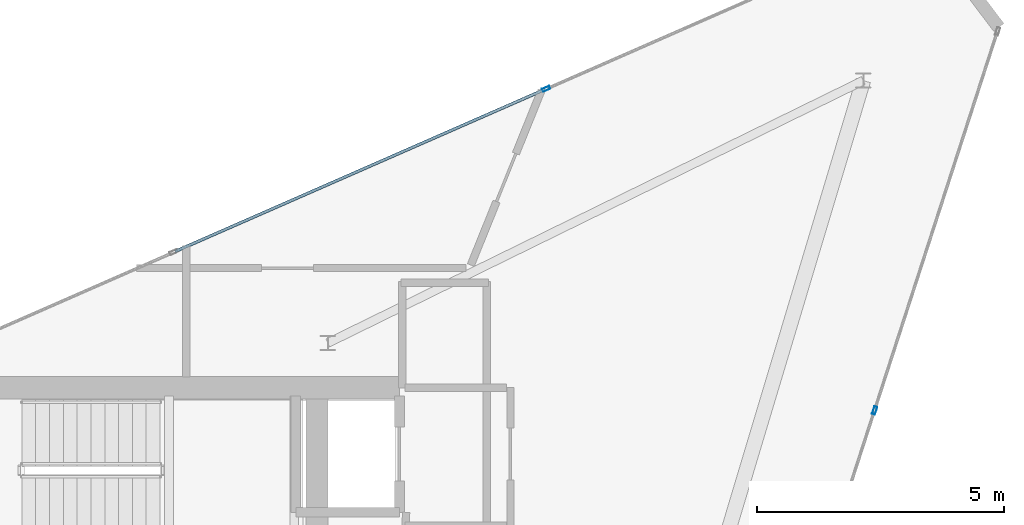
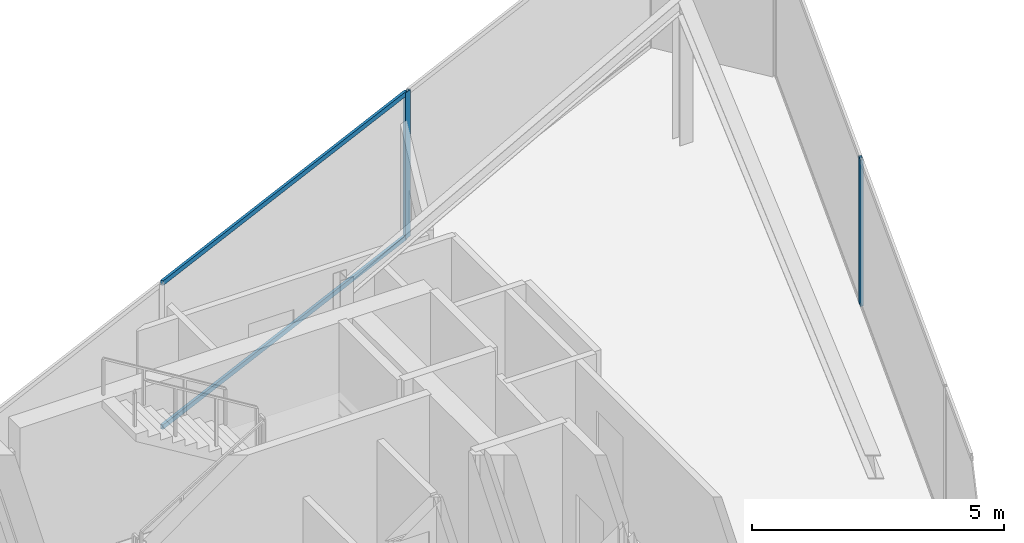
# One storey, part 11 of 16: 4 members, 2 elements without a shape of their own.
"""IFC4 building model written with IfcOpenShell, lengths in metres."""

import ifcopenshell
import ifcopenshell.guid

model = None  # the IFC model being written
_history = None  # IfcOwnerHistory: only IFC2X3 demands one
_inside = {}  # id of a spatial element -> (the spatial element, [elements in it])
_under = {}  # id of a project, library or spatial element -> (it, [spatial elements below it])
_declared = {}  # id of a project -> (the project, [libraries it declares])
_typed = {}  # id of a type object -> (the type object, [elements of that type])
_made_of = {}  # id of a material, layer set ... -> (it, [elements and type objects made of it])


def new_model(schema):
    """Start an empty IFC model of exactly this schema.

    Asked for "IFC4X3", IfcOpenShell would pick the latest addendum, in which some entities
    have other attributes; the version numbers below select the first issue.
    IFC2X3 requires an IfcOwnerHistory on every rooted entity: one is made here for all.
    """
    global model, _history
    if schema == "IFC4X3":
        model = ifcopenshell.file(schema_version=(4, 3, 0, 0))
    else:
        model = ifcopenshell.file(schema=schema)
    _inside.clear()
    _under.clear()
    _declared.clear()
    _typed.clear()
    _made_of.clear()
    _history = None
    if model.schema == "IFC2X3":
        org = make("IfcOrganization", Name="unknown")
        user = make(
            "IfcPersonAndOrganization",
            ThePerson=make("IfcPerson", FamilyName="unknown"),
            TheOrganization=org,
        )
        app = make(
            "IfcApplication",
            ApplicationDeveloper=org,
            Version="unknown",
            ApplicationFullName="unknown",
            ApplicationIdentifier="unknown",
        )
        _history = make(
            "IfcOwnerHistory",
            OwningUser=user,
            OwningApplication=app,
            ChangeAction="ADDED",
            CreationDate=0,
        )
    return model


def make(cls, **values):
    """One entity of the class cls with the attributes given. An attribute that is None is left unset."""
    return model.create_entity(
        cls, **{name: value for name, value in values.items() if value is not None}
    )


def rooted(cls, **values):
    """An entity with a GlobalId (a new one), such as an element, a storey or a relation."""
    return make(cls, GlobalId=ifcopenshell.guid.new(), OwnerHistory=_history, **values)


def si_unit(unit_type, name, prefix=None):
    """IfcSIUnit, for example si_unit("LENGTHUNIT", "METRE", prefix="MILLI")."""
    return make("IfcSIUnit", UnitType=unit_type, Prefix=prefix, Name=name)


def assignment(units):
    """IfcUnitAssignment: the units of a project."""
    return None if units is None else make("IfcUnitAssignment", Units=units)


def point(xyz):
    """IfcCartesianPoint."""
    return None if xyz is None else make("IfcCartesianPoint", Coordinates=xyz)


def direction(xyz):
    """IfcDirection."""
    return None if xyz is None else make("IfcDirection", DirectionRatios=xyz)


def frame(location, z_axis=None, x_axis=None):
    """IfcAxis2Placement3D, a coordinate frame: its origin and axes. An axis left out is left unset."""
    return make(
        "IfcAxis2Placement3D",
        Location=point(location),
        Axis=direction(z_axis),
        RefDirection=direction(x_axis),
    )


def frame_2d(location, x_axis=None):
    """IfcAxis2Placement2D, a coordinate frame in the plane: its origin and x axis."""
    return make(
        "IfcAxis2Placement2D", Location=point(location), RefDirection=direction(x_axis)
    )


def origin():
    """The frame at (0, 0, 0) with its axes left unset."""
    return frame((0.0, 0.0, 0.0))


def origin_2d():
    """The frame at (0, 0) in the plane with its x axis left unset."""
    return frame_2d((0.0, 0.0))


def place(relative_to, where):
    """IfcLocalPlacement: puts the frame where relative to a parent placement (None: the world)."""
    return make(
        "IfcLocalPlacement", PlacementRelTo=relative_to, RelativePlacement=where
    )


def context(
    kind, dimensions, precision=None, world=None, true_north=None, identifier=None
):
    """IfcGeometricRepresentationContext, for example the 3D "Model" context."""
    return make(
        "IfcGeometricRepresentationContext",
        ContextIdentifier=identifier,
        ContextType=kind,
        CoordinateSpaceDimension=dimensions,
        Precision=precision,
        WorldCoordinateSystem=world,
        TrueNorth=true_north,
    )


def subcontext(parent, identifier, kind, view, scale=None):
    """IfcGeometricRepresentationSubContext, for example "Body" below "Model"."""
    return make(
        "IfcGeometricRepresentationSubContext",
        ContextIdentifier=identifier,
        ContextType=kind,
        ParentContext=parent,
        TargetScale=scale,
        TargetView=view,
    )


def project(units=None, contexts=None):
    """IfcProject with its units and contexts."""
    return rooted(
        "IfcProject",
        Name="project",
        RepresentationContexts=contexts,
        UnitsInContext=assignment(units),
    )


def spatial(cls, under=None, at=None, **own):
    """A site, building, storey or space (cls), placed at a placement, below another one or the project."""
    s = rooted(cls, ObjectPlacement=at, **own)
    if under is not None:
        _under.setdefault(under.id(), (under, []))[1].append(s)
    return s


def profile(cls, at=None, kind="AREA", **sizes):
    """A parametric profile (cls). Its sizes go by their IFC names, for example OverallWidth=200.0."""
    return make(cls, ProfileType=kind, Position=at, **sizes)


def hollow_rectangle(**sizes):
    """IfcRectangleHollowProfileDef."""
    return profile("IfcRectangleHollowProfileDef", **sizes)


def extrude(swept, where, along, depth):
    """IfcExtrudedAreaSolid: the profile swept, set in the frame where, extruded along a direction by depth."""
    return make(
        "IfcExtrudedAreaSolid",
        SweptArea=swept,
        Position=where,
        ExtrudedDirection=direction(along),
        Depth=depth,
    )


def shape(context_of_items, identifier, shape_type, items):
    """IfcShapeRepresentation: the items that make up one representation, for example the "Body"."""
    return make(
        "IfcShapeRepresentation",
        ContextOfItems=context_of_items,
        RepresentationIdentifier=identifier,
        RepresentationType=shape_type,
        Items=items,
    )


def material(Name=None, Category=None):
    """IfcMaterial."""
    return make("IfcMaterial", Name=Name, Category=Category)


def layer(
    of_material, thickness, ventilated=None, Name=None, Category=None, Priority=None
):
    """IfcMaterialLayer: one layer of a wall or slab, of a material (None: an air gap)."""
    return make(
        "IfcMaterialLayer",
        Material=of_material,
        LayerThickness=thickness,
        IsVentilated=ventilated,
        Name=Name,
        Category=Category,
        Priority=Priority,
    )


def layer_set(layers, Name=None):
    """IfcMaterialLayerSet."""
    return make("IfcMaterialLayerSet", MaterialLayers=layers, LayerSetName=Name)


def material_profile(
    of_material, cross_section, Name=None, Category=None, Priority=None
):
    """IfcMaterialProfile: a cross section and its material."""
    return make(
        "IfcMaterialProfile",
        Name=Name,
        Material=of_material,
        Profile=cross_section,
        Priority=Priority,
        Category=Category,
    )


def profile_set(profiles, Name=None, composite=None):
    """IfcMaterialProfileSet."""
    return make(
        "IfcMaterialProfileSet",
        Name=Name,
        MaterialProfiles=profiles,
        CompositeProfile=composite,
    )


def made_of(thing, what):
    """Note that an element or type object is made of a material, layer set ...; save() writes the relation."""
    if what is not None:
        _made_of.setdefault(what.id(), (what, []))[1].append(thing)
    return thing


def type_object(cls, material=None, **own):
    """A type object (cls), such as IfcWallType, which elements share."""
    return made_of(rooted(cls, **own), material)


def element(
    cls,
    number,
    at=None,
    inside=None,
    cuts=None,
    type_object=None,
    material=None,
    context=None,
    identifier="Body",
    shape_type=None,
    held_by="IfcProductDefinitionShape",
    body=None,
    shapes=None,
    **own,
):
    """One element of the class cls, such as IfcWall. Its Tag is "e" and its number.

    at: its placement. inside: the storey or other place that contains it. cuts: it is an
    opening in that element (IfcRelVoidsElement). A single representation is given by context,
    identifier, shape_type and body (its items); several are given by shapes. held_by: the class
    of the entity that holds the representations. save() writes the other relations.
    """
    e = rooted(cls, Tag="e%d" % number, ObjectPlacement=at, **own)
    if body is not None:
        shapes = [shape(context, identifier, shape_type, body)]
    if shapes is not None:
        e.Representation = make(held_by, Representations=shapes)
    if inside is not None:
        _inside.setdefault(inside.id(), (inside, []))[1].append(e)
    if cuts is not None:
        rooted(
            "IfcRelVoidsElement", RelatingBuildingElement=cuts, RelatedOpeningElement=e
        )
    if type_object is not None:
        _typed.setdefault(type_object.id(), (type_object, []))[1].append(e)
    return made_of(e, material)


def aggregate(whole, parts):
    """IfcRelAggregates: a whole, such as a stair, and the parts it consists of."""
    return rooted("IfcRelAggregates", RelatingObject=whole, RelatedObjects=parts)


def save(model, path):
    """Write the relations noted so far, then the file.

    IfcRelAggregates (storeys below a building ...), IfcRelContainedInSpatialStructure (elements
    in a storey), IfcRelDefinesByType, IfcRelAssociatesMaterial and IfcRelDeclares: one each for
    every whole, place, type object, material and project.
    """
    for whole, parts in _under.values():
        aggregate(whole, parts)
    for where, things in _inside.values():
        rooted(
            "IfcRelContainedInSpatialStructure",
            RelatedElements=things,
            RelatingStructure=where,
        )
    for kind, things in _typed.values():
        rooted("IfcRelDefinesByType", RelatedObjects=things, RelatingType=kind)
    for what, things in _made_of.values():
        rooted("IfcRelAssociatesMaterial", RelatedObjects=things, RelatingMaterial=what)
    for by, libraries in _declared.values():
        rooted("IfcRelDeclares", RelatingContext=by, RelatedDefinitions=libraries)
    model.write(path)


model = new_model("IFC4")

# Units and contexts
model_context = context("Model", 3, precision=1e-05, world=origin(), true_north=direction((0.0, 1.0)))
body_context = subcontext(model_context, "Body", "Model", "MODEL_VIEW")
ifc_project = project(units=[si_unit("LENGTHUNIT", "METRE"), si_unit("AREAUNIT", "SQUARE_METRE"), si_unit("VOLUMEUNIT", "CUBIC_METRE"), si_unit("PLANEANGLEUNIT", "RADIAN"), si_unit("MASSUNIT", "GRAM", prefix="KILO")], contexts=[model_context])

# Site, building, storey
site_placement = place(None, origin())
site = spatial("IfcSite", under=ifc_project, at=site_placement, CompositionType="ELEMENT")
building_placement = place(site_placement, origin())
building = spatial("IfcBuilding", under=site, at=building_placement, Name="Qianvela Tower", CompositionType="ELEMENT")
storey_placement = place(building_placement, frame((0.0, 0.0, 367.550048828125)))
storey = spatial("IfcBuildingStorey", under=building, at=storey_placement, Name="L95", CompositionType="ELEMENT", Elevation=367.550048828125)

# Curtain wall, member
ifc_material_1 = material(Name="Anodised Architectural Aluminium and Low-E Glass", Category="aluminium")
ifc_layer = layer(ifc_material_1, 0.159912109375)
ifc_layer_set = layer_set([ifc_layer], Name="Anodised Architectural Aluminium and Low-E Glass")
curtain_wall_type = type_object("IfcCurtainWallType", Name="CW-CROWN", PredefinedType="USERDEFINED", material=ifc_layer_set)
curtain_wall_1_placement = place(storey_placement, origin())
curtain_wall_1 = element("IfcCurtainWall", 1, at=curtain_wall_1_placement, inside=storey, type_object=curtain_wall_type, Name="L95 CW-CROWN Curtain Wall 02", ObjectType="CURTAIN_WALL_SYSTEM", PredefinedType="USERDEFINED")
ifc_material_2 = material(Name="Anodised Architectural Aluminium 6063-T6", Category="aluminium")
ifc_material_profile_1 = material_profile(ifc_material_2, hollow_rectangle(XDim=0.06494140625, YDim=0.159912109375, WallThickness=0.0048828125, at=origin_2d()), Name="ALU-MULL-65x160")
ifc_profile_set_1 = profile_set([ifc_material_profile_1], Name="Anodised Architectural Aluminium 6063-T6")
member_type_1 = type_object("IfcMemberType", Name="CW-CROWN-MULL", PredefinedType="MULLION", material=ifc_profile_set_1)
member_1_placement = place(storey_placement, frame((42.823974609375, 38.699462890625, 0.0), z_axis=(0.0, 0.0, 1.0), x_axis=(0.401389946055, -0.915907261247, 0.0)))
member_1 = element("IfcMember", 2, at=member_1_placement, type_object=member_type_1, Name="CW-8 mullion 2", PredefinedType="MULLION", context=body_context, shape_type="SweptSolid", body=[
    extrude(hollow_rectangle(XDim=0.06494140625, YDim=0.159912109375, WallThickness=0.0048828125, at=origin_2d()), origin(), (0.0, 0.0, 1.0), 3.550048828125),
])

curtain_wall_2_placement = place(storey_placement, origin())
curtain_wall_2 = element("IfcCurtainWall", 3, at=curtain_wall_2_placement, inside=storey, type_object=curtain_wall_type, Name="L95 CW-CROWN Curtain Wall 06", ObjectType="CURTAIN_WALL_SYSTEM", PredefinedType="USERDEFINED")
member_2_placement = place(storey_placement, frame((49.4794921875, 32.182861328125, 0.0), z_axis=(0.0, 0.0, 1.0), x_axis=(-0.951255578594, 0.30840367085, 0.0)))
member_2 = element("IfcMember", 4, at=member_2_placement, type_object=member_type_1, Name="CW-8 mullion 4", PredefinedType="MULLION", context=body_context, shape_type="SweptSolid", body=[
    extrude(hollow_rectangle(XDim=0.06494140625, YDim=0.159912109375, WallThickness=0.0048828125, at=origin_2d()), origin(), (0.0, 0.0, 1.0), 3.550048828125),
])
aggregate(curtain_wall_2, [member_2])

# Member
ifc_material_3 = material(Name="Anodised Architectural Aluminium 6063-T6", Category="aluminium")
ifc_material_profile_2 = material_profile(ifc_material_3, hollow_rectangle(XDim=0.06005859375, YDim=0.114990234375, WallThickness=0.00390625, at=origin_2d()), Name="ALU-TRAN-60x115")
ifc_profile_set_2 = profile_set([ifc_material_profile_2], Name="Anodised Architectural Aluminium 6063-T6")
member_type_2 = type_object("IfcMemberType", Name="CW-CROWN-TRAN", PredefinedType="USERDEFINED", material=ifc_profile_set_2)
member_3_placement = place(storey_placement, frame((42.794189453125, 38.6865234375, 0.030029296875), z_axis=(-0.915900136778, -0.401406202555, 0.0), x_axis=(0.401406202555, -0.915900136778, 0.0)))
member_3 = element("IfcMember", 5, at=member_3_placement, type_object=member_type_2, Name="CW-8 transom 2.1", ObjectType="TRANSOM", PredefinedType="USERDEFINED", context=body_context, shape_type="SweptSolid", body=[
    extrude(hollow_rectangle(XDim=0.06005859375, YDim=0.114990234375, WallThickness=0.00390625, at=origin_2d()), origin(), (0.0, 0.0, 1.0), 8.175537109375),
])

member_4_placement = place(storey_placement, frame((42.794189453125, 38.6865234375, 3.52001953125), z_axis=(-0.915900136778, -0.401406202555, 0.0), x_axis=(0.401406202555, -0.915900136778, 0.0)))
member_4 = element("IfcMember", 6, at=member_4_placement, type_object=member_type_2, Name="CW-8 transom 2.2", ObjectType="TRANSOM", PredefinedType="USERDEFINED", context=body_context, shape_type="SweptSolid", body=[
    extrude(hollow_rectangle(XDim=0.06005859375, YDim=0.114990234375, WallThickness=0.00390625, at=origin_2d()), origin(), (0.0, 0.0, 1.0), 8.175537109375),
])

aggregate(curtain_wall_1, [member_1, member_3, member_4])

save(model, "model.ifc")
